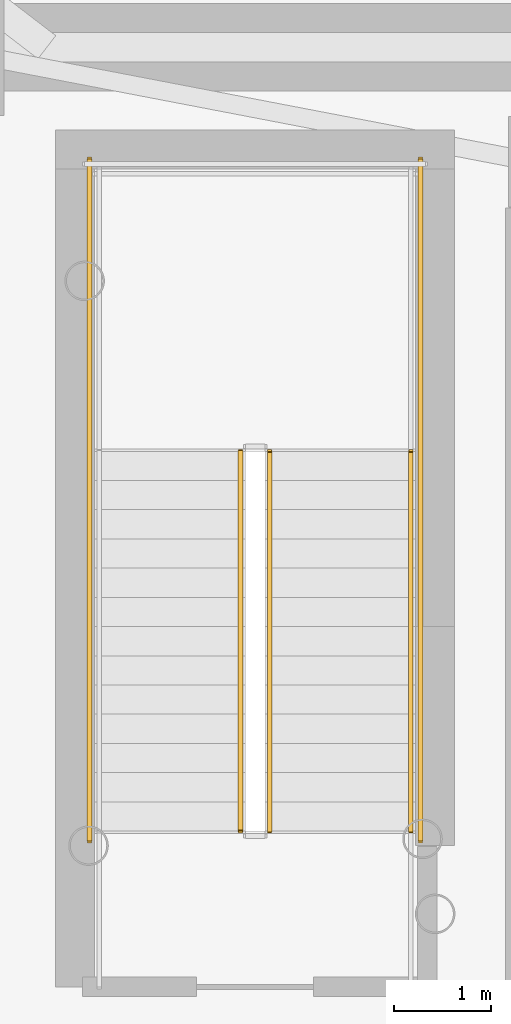
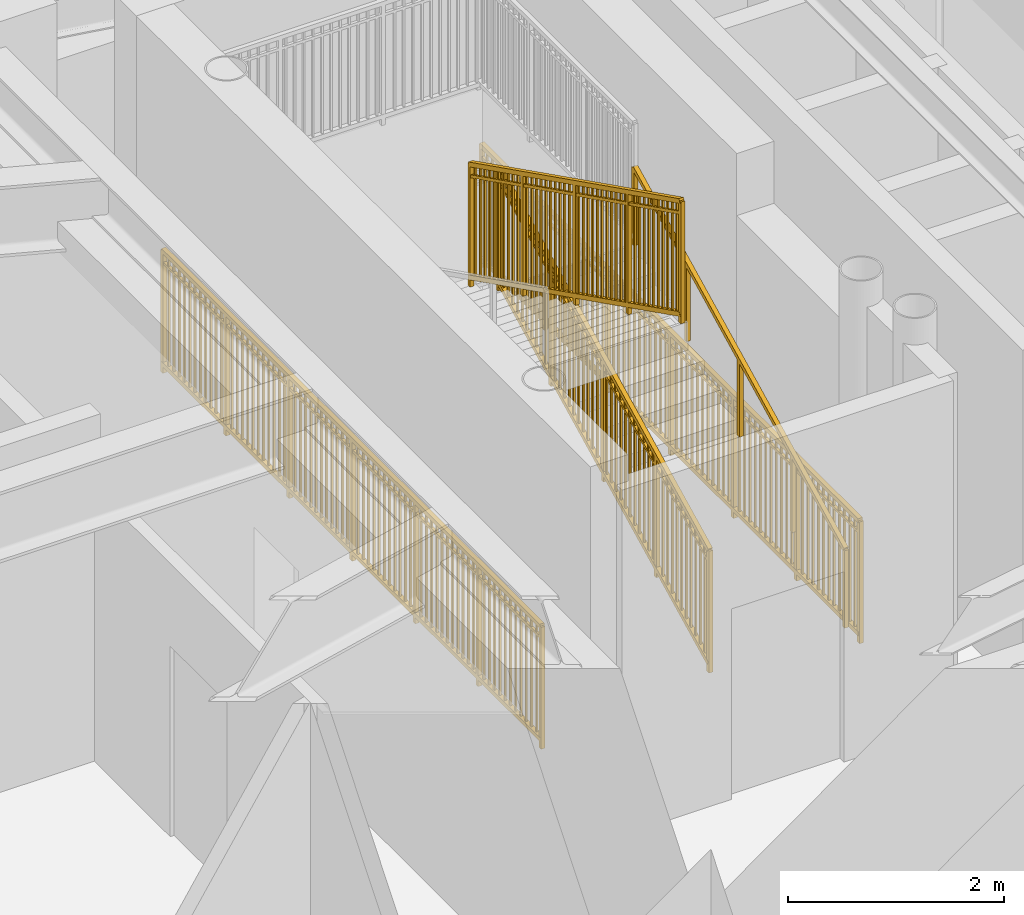
# One storey, part 21 of 27: 5 railings.
"""IFC4 building model written with IfcOpenShell, lengths in metres."""

from ifc_helpers import new_model, si_unit, direction, frame, origin, origin_2d, place, context, subcontext, project, spatial, rectangle, extrude, source, transform, mapped, material, type_object, element, save


model = new_model("IFC4")

# Units and contexts
model_context = context("Model", 3, precision=1e-05, world=origin(), true_north=direction((0.0, 1.0)))
body_context = subcontext(model_context, "Body", "Model", "MODEL_VIEW")
ifc_project = project(units=[si_unit("LENGTHUNIT", "METRE"), si_unit("AREAUNIT", "SQUARE_METRE"), si_unit("VOLUMEUNIT", "CUBIC_METRE"), si_unit("PLANEANGLEUNIT", "RADIAN"), si_unit("MASSUNIT", "GRAM", prefix="KILO")], contexts=[model_context])

# Site, building, storey
site_placement = place(None, origin())
site = spatial("IfcSite", under=ifc_project, at=site_placement, CompositionType="ELEMENT")
building_placement = place(site_placement, origin())
building = spatial("IfcBuilding", under=site, at=building_placement, Name="Linh Dai School and Residence Tower", CompositionType="ELEMENT")
storey_placement = place(building_placement, frame((0.0, 0.0, 14.39990234375)))
storey = spatial("IfcBuildingStorey", under=building, at=storey_placement, Name="L03", CompositionType="ELEMENT", Elevation=14.39990234375)

# Railings
ifc_material_1 = material(Name="Structural Steel S355JR", Category="steel")
railing_type_1 = type_object("IfcRailingType", Name="RL-ST-GUARD-1400", PredefinedType="GUARDRAIL", material=ifc_material_1)
shared_shape_1 = source(origin(), body_context, "Body", "SweptSolid", [
    extrude(rectangle(XDim=0.048095703125, YDim=0.048095703125, at=origin_2d()), frame((0.0, 0.0, 1.3759765625), z_axis=(0.0, 1.0, 0.0), x_axis=(-1.0, 0.0, 0.0)), (0.0, 0.0, 1.0), 7.0),
    extrude(rectangle(XDim=0.048095703125, YDim=0.048095703125, at=origin_2d()), frame((0.0, 0.0, 0.10009765625), z_axis=(0.0, 1.0, 0.0), x_axis=(-1.0, 0.0, 0.0)), (0.0, 0.0, 1.0), 7.0),
    extrude(rectangle(XDim=0.030029296875, YDim=0.030029296875, at=origin_2d()), frame((0.0, 0.0, 1.239990234375), z_axis=(0.0, 1.0, 0.0), x_axis=(-1.0, 0.0, 0.0)), (0.0, 0.0, 1.0), 7.0),
    extrude(rectangle(XDim=0.02001953125, YDim=0.02001953125, at=origin_2d()), frame((0.0, 0.09716796875, 0.10009765625)), (0.0, 0.0, 1.0), 1.251708984375),
    extrude(rectangle(XDim=0.02001953125, YDim=0.02001953125, at=origin_2d()), frame((0.0, 0.1943359375, 0.10009765625)), (0.0, 0.0, 1.0), 1.251708984375),
    extrude(rectangle(XDim=0.02001953125, YDim=0.02001953125, at=origin_2d()), frame((0.0, 0.291748046875, 0.10009765625)), (0.0, 0.0, 1.0), 1.251708984375),
    extrude(rectangle(XDim=0.02001953125, YDim=0.02001953125, at=origin_2d()), frame((0.0, 0.388916015625, 0.10009765625)), (0.0, 0.0, 1.0), 1.251708984375),
    extrude(rectangle(XDim=0.02001953125, YDim=0.02001953125, at=origin_2d()), frame((0.0, 0.486083984375, 0.10009765625)), (0.0, 0.0, 1.0), 1.251708984375),
    extrude(rectangle(XDim=0.02001953125, YDim=0.02001953125, at=origin_2d()), frame((0.0, 0.583251953125, 0.10009765625)), (0.0, 0.0, 1.0), 1.251708984375),
    extrude(rectangle(XDim=0.02001953125, YDim=0.02001953125, at=origin_2d()), frame((0.0, 0.6806640625, 0.10009765625)), (0.0, 0.0, 1.0), 1.251708984375),
    extrude(rectangle(XDim=0.02001953125, YDim=0.02001953125, at=origin_2d()), frame((0.0, 0.77783203125, 0.10009765625)), (0.0, 0.0, 1.0), 1.251708984375),
    extrude(rectangle(XDim=0.02001953125, YDim=0.02001953125, at=origin_2d()), frame((0.0, 0.875, 0.10009765625)), (0.0, 0.0, 1.0), 1.251708984375),
    extrude(rectangle(XDim=0.02001953125, YDim=0.02001953125, at=origin_2d()), frame((0.0, 0.97216796875, 0.10009765625)), (0.0, 0.0, 1.0), 1.251708984375),
    extrude(rectangle(XDim=0.02001953125, YDim=0.02001953125, at=origin_2d()), frame((0.0, 1.0693359375, 0.10009765625)), (0.0, 0.0, 1.0), 1.251708984375),
    extrude(rectangle(XDim=0.02001953125, YDim=0.02001953125, at=origin_2d()), frame((0.0, 1.263916015625, 0.10009765625)), (0.0, 0.0, 1.0), 1.251708984375),
    extrude(rectangle(XDim=0.02001953125, YDim=0.02001953125, at=origin_2d()), frame((0.0, 1.361083984375, 0.10009765625)), (0.0, 0.0, 1.0), 1.251708984375),
    extrude(rectangle(XDim=0.02001953125, YDim=0.02001953125, at=origin_2d()), frame((0.0, 1.458251953125, 0.10009765625)), (0.0, 0.0, 1.0), 1.251708984375),
    extrude(rectangle(XDim=0.02001953125, YDim=0.02001953125, at=origin_2d()), frame((0.0, 1.5556640625, 0.10009765625)), (0.0, 0.0, 1.0), 1.251708984375),
    extrude(rectangle(XDim=0.02001953125, YDim=0.02001953125, at=origin_2d()), frame((0.0, 1.65283203125, 0.10009765625)), (0.0, 0.0, 1.0), 1.251708984375),
    extrude(rectangle(XDim=0.02001953125, YDim=0.02001953125, at=origin_2d()), frame((0.0, 1.75, 0.10009765625)), (0.0, 0.0, 1.0), 1.251708984375),
    extrude(rectangle(XDim=0.02001953125, YDim=0.02001953125, at=origin_2d()), frame((0.0, 1.84716796875, 0.10009765625)), (0.0, 0.0, 1.0), 1.251708984375),
    extrude(rectangle(XDim=0.02001953125, YDim=0.02001953125, at=origin_2d()), frame((0.0, 1.9443359375, 0.10009765625)), (0.0, 0.0, 1.0), 1.251708984375),
    extrude(rectangle(XDim=0.02001953125, YDim=0.02001953125, at=origin_2d()), frame((0.0, 2.041748046875, 0.10009765625)), (0.0, 0.0, 1.0), 1.251708984375),
    extrude(rectangle(XDim=0.02001953125, YDim=0.02001953125, at=origin_2d()), frame((0.0, 2.138916015625, 0.10009765625)), (0.0, 0.0, 1.0), 1.251708984375),
    extrude(rectangle(XDim=0.02001953125, YDim=0.02001953125, at=origin_2d()), frame((0.0, 2.236083984375, 0.10009765625)), (0.0, 0.0, 1.0), 1.251708984375),
    extrude(rectangle(XDim=0.02001953125, YDim=0.02001953125, at=origin_2d()), frame((0.0, 2.4306640625, 0.10009765625)), (0.0, 0.0, 1.0), 1.251708984375),
    extrude(rectangle(XDim=0.02001953125, YDim=0.02001953125, at=origin_2d()), frame((0.0, 2.52783203125, 0.10009765625)), (0.0, 0.0, 1.0), 1.251708984375),
    extrude(rectangle(XDim=0.02001953125, YDim=0.02001953125, at=origin_2d()), frame((0.0, 2.625, 0.10009765625)), (0.0, 0.0, 1.0), 1.251708984375),
    extrude(rectangle(XDim=0.02001953125, YDim=0.02001953125, at=origin_2d()), frame((0.0, 2.72216796875, 0.10009765625)), (0.0, 0.0, 1.0), 1.251708984375),
    extrude(rectangle(XDim=0.02001953125, YDim=0.02001953125, at=origin_2d()), frame((0.0, 2.8193359375, 0.10009765625)), (0.0, 0.0, 1.0), 1.251708984375),
    extrude(rectangle(XDim=0.02001953125, YDim=0.02001953125, at=origin_2d()), frame((0.0, 2.916748046875, 0.10009765625)), (0.0, 0.0, 1.0), 1.251708984375),
    extrude(rectangle(XDim=0.02001953125, YDim=0.02001953125, at=origin_2d()), frame((0.0, 3.013916015625, 0.10009765625)), (0.0, 0.0, 1.0), 1.251708984375),
    extrude(rectangle(XDim=0.02001953125, YDim=0.02001953125, at=origin_2d()), frame((0.0, 3.111083984375, 0.10009765625)), (0.0, 0.0, 1.0), 1.251708984375),
    extrude(rectangle(XDim=0.02001953125, YDim=0.02001953125, at=origin_2d()), frame((0.0, 3.208251953125, 0.10009765625)), (0.0, 0.0, 1.0), 1.251708984375),
    extrude(rectangle(XDim=0.02001953125, YDim=0.02001953125, at=origin_2d()), frame((0.0, 3.3056640625, 0.10009765625)), (0.0, 0.0, 1.0), 1.251708984375),
    extrude(rectangle(XDim=0.02001953125, YDim=0.02001953125, at=origin_2d()), frame((0.0, 3.40283203125, 0.10009765625)), (0.0, 0.0, 1.0), 1.251708984375),
    extrude(rectangle(XDim=0.02001953125, YDim=0.02001953125, at=origin_2d()), frame((0.0, 3.59716796875, 0.10009765625)), (0.0, 0.0, 1.0), 1.251708984375),
    extrude(rectangle(XDim=0.02001953125, YDim=0.02001953125, at=origin_2d()), frame((0.0, 3.6943359375, 0.10009765625)), (0.0, 0.0, 1.0), 1.251708984375),
    extrude(rectangle(XDim=0.02001953125, YDim=0.02001953125, at=origin_2d()), frame((0.0, 3.791748046875, 0.10009765625)), (0.0, 0.0, 1.0), 1.251708984375),
    extrude(rectangle(XDim=0.02001953125, YDim=0.02001953125, at=origin_2d()), frame((0.0, 3.888916015625, 0.10009765625)), (0.0, 0.0, 1.0), 1.251708984375),
    extrude(rectangle(XDim=0.02001953125, YDim=0.02001953125, at=origin_2d()), frame((0.0, 3.986083984375, 0.10009765625)), (0.0, 0.0, 1.0), 1.251708984375),
    extrude(rectangle(XDim=0.02001953125, YDim=0.02001953125, at=origin_2d()), frame((0.0, 4.083251953125, 0.10009765625)), (0.0, 0.0, 1.0), 1.251708984375),
    extrude(rectangle(XDim=0.02001953125, YDim=0.02001953125, at=origin_2d()), frame((0.0, 4.1806640625, 0.10009765625)), (0.0, 0.0, 1.0), 1.251708984375),
    extrude(rectangle(XDim=0.02001953125, YDim=0.02001953125, at=origin_2d()), frame((0.0, 4.27783203125, 0.10009765625)), (0.0, 0.0, 1.0), 1.251708984375),
    extrude(rectangle(XDim=0.02001953125, YDim=0.02001953125, at=origin_2d()), frame((0.0, 4.375, 0.10009765625)), (0.0, 0.0, 1.0), 1.251708984375),
    extrude(rectangle(XDim=0.02001953125, YDim=0.02001953125, at=origin_2d()), frame((0.0, 4.47216796875, 0.10009765625)), (0.0, 0.0, 1.0), 1.251708984375),
    extrude(rectangle(XDim=0.02001953125, YDim=0.02001953125, at=origin_2d()), frame((0.0, 4.5693359375, 0.10009765625)), (0.0, 0.0, 1.0), 1.251708984375),
    extrude(rectangle(XDim=0.02001953125, YDim=0.02001953125, at=origin_2d()), frame((0.0, 4.763916015625, 0.10009765625)), (0.0, 0.0, 1.0), 1.251708984375),
    extrude(rectangle(XDim=0.02001953125, YDim=0.02001953125, at=origin_2d()), frame((0.0, 4.861083984375, 0.10009765625)), (0.0, 0.0, 1.0), 1.251708984375),
    extrude(rectangle(XDim=0.02001953125, YDim=0.02001953125, at=origin_2d()), frame((0.0, 4.958251953125, 0.10009765625)), (0.0, 0.0, 1.0), 1.251708984375),
    extrude(rectangle(XDim=0.02001953125, YDim=0.02001953125, at=origin_2d()), frame((0.0, 5.0556640625, 0.10009765625)), (0.0, 0.0, 1.0), 1.251708984375),
    extrude(rectangle(XDim=0.02001953125, YDim=0.02001953125, at=origin_2d()), frame((0.0, 5.15283203125, 0.10009765625)), (0.0, 0.0, 1.0), 1.251708984375),
    extrude(rectangle(XDim=0.02001953125, YDim=0.02001953125, at=origin_2d()), frame((0.0, 5.25, 0.10009765625)), (0.0, 0.0, 1.0), 1.251708984375),
    extrude(rectangle(XDim=0.02001953125, YDim=0.02001953125, at=origin_2d()), frame((0.0, 5.34716796875, 0.10009765625)), (0.0, 0.0, 1.0), 1.251708984375),
    extrude(rectangle(XDim=0.02001953125, YDim=0.02001953125, at=origin_2d()), frame((0.0, 5.4443359375, 0.10009765625)), (0.0, 0.0, 1.0), 1.251708984375),
    extrude(rectangle(XDim=0.02001953125, YDim=0.02001953125, at=origin_2d()), frame((0.0, 5.541748046875, 0.10009765625)), (0.0, 0.0, 1.0), 1.251708984375),
    extrude(rectangle(XDim=0.02001953125, YDim=0.02001953125, at=origin_2d()), frame((0.0, 5.638916015625, 0.10009765625)), (0.0, 0.0, 1.0), 1.251708984375),
    extrude(rectangle(XDim=0.02001953125, YDim=0.02001953125, at=origin_2d()), frame((0.0, 5.736083984375, 0.10009765625)), (0.0, 0.0, 1.0), 1.251708984375),
    extrude(rectangle(XDim=0.02001953125, YDim=0.02001953125, at=origin_2d()), frame((0.0, 5.9306640625, 0.10009765625)), (0.0, 0.0, 1.0), 1.251708984375),
    extrude(rectangle(XDim=0.02001953125, YDim=0.02001953125, at=origin_2d()), frame((0.0, 6.02783203125, 0.10009765625)), (0.0, 0.0, 1.0), 1.251708984375),
    extrude(rectangle(XDim=0.02001953125, YDim=0.02001953125, at=origin_2d()), frame((0.0, 6.125, 0.10009765625)), (0.0, 0.0, 1.0), 1.251708984375),
    extrude(rectangle(XDim=0.02001953125, YDim=0.02001953125, at=origin_2d()), frame((0.0, 6.22216796875, 0.10009765625)), (0.0, 0.0, 1.0), 1.251708984375),
    extrude(rectangle(XDim=0.02001953125, YDim=0.02001953125, at=origin_2d()), frame((0.0, 6.3193359375, 0.10009765625)), (0.0, 0.0, 1.0), 1.251708984375),
    extrude(rectangle(XDim=0.02001953125, YDim=0.02001953125, at=origin_2d()), frame((0.0, 6.416748046875, 0.10009765625)), (0.0, 0.0, 1.0), 1.251708984375),
    extrude(rectangle(XDim=0.02001953125, YDim=0.02001953125, at=origin_2d()), frame((0.0, 6.513916015625, 0.10009765625)), (0.0, 0.0, 1.0), 1.251708984375),
    extrude(rectangle(XDim=0.02001953125, YDim=0.02001953125, at=origin_2d()), frame((0.0, 6.611083984375, 0.10009765625)), (0.0, 0.0, 1.0), 1.251708984375),
    extrude(rectangle(XDim=0.02001953125, YDim=0.02001953125, at=origin_2d()), frame((0.0, 6.708251953125, 0.10009765625)), (0.0, 0.0, 1.0), 1.251708984375),
    extrude(rectangle(XDim=0.02001953125, YDim=0.02001953125, at=origin_2d()), frame((0.0, 6.8056640625, 0.10009765625)), (0.0, 0.0, 1.0), 1.251708984375),
    extrude(rectangle(XDim=0.02001953125, YDim=0.02001953125, at=origin_2d()), frame((0.0, 6.90283203125, 0.10009765625)), (0.0, 0.0, 1.0), 1.251708984375),
    extrude(rectangle(XDim=0.0419921875, YDim=0.0419921875, at=origin_2d()), origin(), (0.0, 0.0, 1.0), 1.3759765625),
    extrude(rectangle(XDim=0.0419921875, YDim=0.0419921875, at=origin_2d()), frame((0.0, 1.166748046875, 0.0)), (0.0, 0.0, 1.0), 1.3759765625),
    extrude(rectangle(XDim=0.0419921875, YDim=0.0419921875, at=origin_2d()), frame((0.0, 2.333251953125, 0.0)), (0.0, 0.0, 1.0), 1.3759765625),
    extrude(rectangle(XDim=0.0419921875, YDim=0.0419921875, at=origin_2d()), frame((0.0, 3.5, 0.0)), (0.0, 0.0, 1.0), 1.3759765625),
    extrude(rectangle(XDim=0.0419921875, YDim=0.0419921875, at=origin_2d()), frame((0.0, 4.666748046875, 0.0)), (0.0, 0.0, 1.0), 1.3759765625),
    extrude(rectangle(XDim=0.0419921875, YDim=0.0419921875, at=origin_2d()), frame((0.0, 5.833251953125, 0.0)), (0.0, 0.0, 1.0), 1.3759765625),
    extrude(rectangle(XDim=0.0419921875, YDim=0.0419921875, at=origin_2d()), frame((0.0, 7.0, 0.0)), (0.0, 0.0, 1.0), 1.3759765625),
])
for number, where, name in (
    (1, (31.030029296875, 25.60009765625, 0.0), "L03 ST1 stair guard 10"),
    (2, (27.6298828125, 25.60009765625, 0.0), "L03 ST1 stair guard 11"),
):
    element("IfcRailing", number, at=place(storey_placement, frame(where)), inside=storey, type_object=railing_type_1, Name=name, PredefinedType="GUARDRAIL", context=body_context, shape_type="MappedRepresentation", body=[
        mapped(shared_shape_1, transform((0.0, 0.0, 0.0), x_axis=(1.0, 0.0, 0.0), y_axis=(0.0, 1.0, 0.0), z_axis=(0.0, 0.0, 1.0), scale=1.0)),
    ])
shared_shape_2 = source(origin(), body_context, "Body", "SweptSolid", [
    extrude(rectangle(XDim=0.048095703125, YDim=0.048095703125, at=origin_2d()), frame((0.0, 0.0, 1.3759765625), z_axis=(0.0, 0.894438388696, 0.447191199406), x_axis=(-1.0, 0.0, 0.0)), (0.0, 0.0, 1.0), 4.3603515625),
    extrude(rectangle(XDim=0.048095703125, YDim=0.048095703125, at=origin_2d()), frame((0.0, 0.0, 0.10009765625), z_axis=(0.0, 0.894438388696, 0.447191199406), x_axis=(-1.0, 0.0, 0.0)), (0.0, 0.0, 1.0), 4.3603515625),
    extrude(rectangle(XDim=0.030029296875, YDim=0.030029296875, at=origin_2d()), frame((0.0, 0.0, 1.239990234375), z_axis=(0.0, 0.894438388696, 0.447191199406), x_axis=(-1.0, 0.0, 0.0)), (0.0, 0.0, 1.0), 4.3603515625),
    extrude(rectangle(XDim=0.02001953125, YDim=0.02001953125, at=origin_2d()), frame((0.0, 0.086669921875, 0.143310546875)), (0.0, 0.0, 1.0), 1.251708984375),
    extrude(rectangle(XDim=0.02001953125, YDim=0.02001953125, at=origin_2d()), frame((0.0, 0.17333984375, 0.186767578125)), (0.0, 0.0, 1.0), 1.251708984375),
    extrude(rectangle(XDim=0.02001953125, YDim=0.02001953125, at=origin_2d()), frame((0.0, 0.260009765625, 0.22998046875)), (0.0, 0.0, 1.0), 1.251708984375),
    extrude(rectangle(XDim=0.02001953125, YDim=0.02001953125, at=origin_2d()), frame((0.0, 0.3466796875, 0.2734375)), (0.0, 0.0, 1.0), 1.251708984375),
    extrude(rectangle(XDim=0.02001953125, YDim=0.02001953125, at=origin_2d()), frame((0.0, 0.433349609375, 0.316650390625)), (0.0, 0.0, 1.0), 1.251708984375),
    extrude(rectangle(XDim=0.02001953125, YDim=0.02001953125, at=origin_2d()), frame((0.0, 0.52001953125, 0.360107421875)), (0.0, 0.0, 1.0), 1.251708984375),
    extrude(rectangle(XDim=0.02001953125, YDim=0.02001953125, at=origin_2d()), frame((0.0, 0.606689453125, 0.4033203125)), (0.0, 0.0, 1.0), 1.251708984375),
    extrude(rectangle(XDim=0.02001953125, YDim=0.02001953125, at=origin_2d()), frame((0.0, 0.693359375, 0.44677734375)), (0.0, 0.0, 1.0), 1.251708984375),
    extrude(rectangle(XDim=0.02001953125, YDim=0.02001953125, at=origin_2d()), frame((0.0, 0.780029296875, 0.489990234375)), (0.0, 0.0, 1.0), 1.251708984375),
    extrude(rectangle(XDim=0.02001953125, YDim=0.02001953125, at=origin_2d()), frame((0.0, 0.86669921875, 0.533447265625)), (0.0, 0.0, 1.0), 1.251708984375),
    extrude(rectangle(XDim=0.02001953125, YDim=0.02001953125, at=origin_2d()), frame((0.0, 1.0400390625, 0.6201171875)), (0.0, 0.0, 1.0), 1.251708984375),
    extrude(rectangle(XDim=0.02001953125, YDim=0.02001953125, at=origin_2d()), frame((0.0, 1.126708984375, 0.663330078125)), (0.0, 0.0, 1.0), 1.251708984375),
    extrude(rectangle(XDim=0.02001953125, YDim=0.02001953125, at=origin_2d()), frame((0.0, 1.21337890625, 0.706787109375)), (0.0, 0.0, 1.0), 1.251708984375),
    extrude(rectangle(XDim=0.02001953125, YDim=0.02001953125, at=origin_2d()), frame((0.0, 1.300048828125, 0.75)), (0.0, 0.0, 1.0), 1.251708984375),
    extrude(rectangle(XDim=0.02001953125, YDim=0.02001953125, at=origin_2d()), frame((0.0, 1.38671875, 0.79345703125)), (0.0, 0.0, 1.0), 1.251708984375),
    extrude(rectangle(XDim=0.02001953125, YDim=0.02001953125, at=origin_2d()), frame((0.0, 1.473388671875, 0.836669921875)), (0.0, 0.0, 1.0), 1.251708984375),
    extrude(rectangle(XDim=0.02001953125, YDim=0.02001953125, at=origin_2d()), frame((0.0, 1.56005859375, 0.880126953125)), (0.0, 0.0, 1.0), 1.251708984375),
    extrude(rectangle(XDim=0.02001953125, YDim=0.02001953125, at=origin_2d()), frame((0.0, 1.646728515625, 0.92333984375)), (0.0, 0.0, 1.0), 1.251708984375),
    extrude(rectangle(XDim=0.02001953125, YDim=0.02001953125, at=origin_2d()), frame((0.0, 1.7333984375, 0.966796875)), (0.0, 0.0, 1.0), 1.251708984375),
    extrude(rectangle(XDim=0.02001953125, YDim=0.02001953125, at=origin_2d()), frame((0.0, 1.820068359375, 1.010009765625)), (0.0, 0.0, 1.0), 1.251708984375),
    extrude(rectangle(XDim=0.02001953125, YDim=0.02001953125, at=origin_2d()), frame((0.0, 1.90673828125, 1.053466796875)), (0.0, 0.0, 1.0), 1.251708984375),
    extrude(rectangle(XDim=0.02001953125, YDim=0.02001953125, at=origin_2d()), frame((0.0, 1.993408203125, 1.0966796875)), (0.0, 0.0, 1.0), 1.251708984375),
    extrude(rectangle(XDim=0.02001953125, YDim=0.02001953125, at=origin_2d()), frame((0.0, 2.080078125, 1.14013671875)), (0.0, 0.0, 1.0), 1.251708984375),
    extrude(rectangle(XDim=0.02001953125, YDim=0.02001953125, at=origin_2d()), frame((0.0, 2.166748046875, 1.183349609375)), (0.0, 0.0, 1.0), 1.251708984375),
    extrude(rectangle(XDim=0.02001953125, YDim=0.02001953125, at=origin_2d()), frame((0.0, 2.25341796875, 1.226806640625)), (0.0, 0.0, 1.0), 1.251708984375),
    extrude(rectangle(XDim=0.02001953125, YDim=0.02001953125, at=origin_2d()), frame((0.0, 2.340087890625, 1.27001953125)), (0.0, 0.0, 1.0), 1.251708984375),
    extrude(rectangle(XDim=0.02001953125, YDim=0.02001953125, at=origin_2d()), frame((0.0, 2.4267578125, 1.3134765625)), (0.0, 0.0, 1.0), 1.251708984375),
    extrude(rectangle(XDim=0.02001953125, YDim=0.02001953125, at=origin_2d()), frame((0.0, 2.513427734375, 1.356689453125)), (0.0, 0.0, 1.0), 1.251708984375),
    extrude(rectangle(XDim=0.02001953125, YDim=0.02001953125, at=origin_2d()), frame((0.0, 2.60009765625, 1.400146484375)), (0.0, 0.0, 1.0), 1.251708984375),
    extrude(rectangle(XDim=0.02001953125, YDim=0.02001953125, at=origin_2d()), frame((0.0, 2.686767578125, 1.443359375)), (0.0, 0.0, 1.0), 1.251708984375),
    extrude(rectangle(XDim=0.02001953125, YDim=0.02001953125, at=origin_2d()), frame((0.0, 2.7734375, 1.48681640625)), (0.0, 0.0, 1.0), 1.251708984375),
    extrude(rectangle(XDim=0.02001953125, YDim=0.02001953125, at=origin_2d()), frame((0.0, 2.860107421875, 1.530029296875)), (0.0, 0.0, 1.0), 1.251708984375),
    extrude(rectangle(XDim=0.02001953125, YDim=0.02001953125, at=origin_2d()), frame((0.0, 3.033447265625, 1.61669921875)), (0.0, 0.0, 1.0), 1.251708984375),
    extrude(rectangle(XDim=0.02001953125, YDim=0.02001953125, at=origin_2d()), frame((0.0, 3.1201171875, 1.66015625)), (0.0, 0.0, 1.0), 1.251708984375),
    extrude(rectangle(XDim=0.02001953125, YDim=0.02001953125, at=origin_2d()), frame((0.0, 3.206787109375, 1.703369140625)), (0.0, 0.0, 1.0), 1.251708984375),
    extrude(rectangle(XDim=0.02001953125, YDim=0.02001953125, at=origin_2d()), frame((0.0, 3.29345703125, 1.746826171875)), (0.0, 0.0, 1.0), 1.251708984375),
    extrude(rectangle(XDim=0.02001953125, YDim=0.02001953125, at=origin_2d()), frame((0.0, 3.380126953125, 1.7900390625)), (0.0, 0.0, 1.0), 1.251708984375),
    extrude(rectangle(XDim=0.02001953125, YDim=0.02001953125, at=origin_2d()), frame((0.0, 3.466796875, 1.83349609375)), (0.0, 0.0, 1.0), 1.251708984375),
    extrude(rectangle(XDim=0.02001953125, YDim=0.02001953125, at=origin_2d()), frame((0.0, 3.553466796875, 1.876708984375)), (0.0, 0.0, 1.0), 1.251708984375),
    extrude(rectangle(XDim=0.02001953125, YDim=0.02001953125, at=origin_2d()), frame((0.0, 3.64013671875, 1.920166015625)), (0.0, 0.0, 1.0), 1.251708984375),
    extrude(rectangle(XDim=0.02001953125, YDim=0.02001953125, at=origin_2d()), frame((0.0, 3.726806640625, 1.96337890625)), (0.0, 0.0, 1.0), 1.251708984375),
    extrude(rectangle(XDim=0.02001953125, YDim=0.02001953125, at=origin_2d()), frame((0.0, 3.8134765625, 2.0068359375)), (0.0, 0.0, 1.0), 1.251708984375),
    extrude(rectangle(XDim=0.0419921875, YDim=0.0419921875, at=origin_2d()), origin(), (0.0, 0.0, 1.0), 1.3759765625),
    extrude(rectangle(XDim=0.0419921875, YDim=0.0419921875, at=origin_2d()), frame((0.0, 0.97509765625, 0.487548828125)), (0.0, 0.0, 1.0), 1.3759765625),
    extrude(rectangle(XDim=0.0419921875, YDim=0.0419921875, at=origin_2d()), frame((0.0, 1.9501953125, 0.97509765625)), (0.0, 0.0, 1.0), 1.3759765625),
    extrude(rectangle(XDim=0.0419921875, YDim=0.0419921875, at=origin_2d()), frame((0.0, 2.925048828125, 1.46240234375)), (0.0, 0.0, 1.0), 1.3759765625),
    extrude(rectangle(XDim=0.0419921875, YDim=0.0419921875, at=origin_2d()), frame((0.0, 3.900146484375, 1.949951171875)), (0.0, 0.0, 1.0), 1.3759765625),
])
railing_1_placement = place(storey_placement, frame((29.47998046875, 25.699951171875, 0.150146484375)))
element("IfcRailing", 3, at=railing_1_placement, inside=storey, type_object=railing_type_1, Name="L03 ST1 stair guard 1", PredefinedType="GUARDRAIL", context=body_context, shape_type="MappedRepresentation", body=[
    mapped(shared_shape_2, transform((0.0, 0.0, 0.0), x_axis=(1.0, 0.0, 0.0), y_axis=(0.0, 1.0, 0.0), z_axis=(0.0, 0.0, 1.0), scale=1.0)),
])
ifc_material_2 = material(Name="Brushed Stainless Steel Handrail", Category="steel")
railing_type_2 = type_object("IfcRailingType", Name="RL-ST-HANDRAIL-900", PredefinedType="HANDRAIL", material=ifc_material_2)
shared_shape_3 = source(origin(), body_context, "Body", "SweptSolid", [
    extrude(rectangle(XDim=0.048095703125, YDim=0.048095703125, at=origin_2d()), frame((0.0, 0.0, 0.8759765625), z_axis=(0.0, 0.894438388696, 0.447191199406), x_axis=(-1.0, 0.0, 0.0)), (0.0, 0.0, 1.0), 4.3603515625),
    extrude(rectangle(XDim=0.0419921875, YDim=0.0419921875, at=origin_2d()), origin(), (0.0, 0.0, 1.0), 0.8759765625),
    extrude(rectangle(XDim=0.0419921875, YDim=0.0419921875, at=origin_2d()), frame((0.0, 0.97509765625, 0.487548828125)), (0.0, 0.0, 1.0), 0.8759765625),
    extrude(rectangle(XDim=0.0419921875, YDim=0.0419921875, at=origin_2d()), frame((0.0, 1.9501953125, 0.97509765625)), (0.0, 0.0, 1.0), 0.8759765625),
    extrude(rectangle(XDim=0.0419921875, YDim=0.0419921875, at=origin_2d()), frame((0.0, 2.925048828125, 1.46240234375)), (0.0, 0.0, 1.0), 0.8759765625),
    extrude(rectangle(XDim=0.0419921875, YDim=0.0419921875, at=origin_2d()), frame((0.0, 3.900146484375, 1.949951171875)), (0.0, 0.0, 1.0), 0.8759765625),
])
railing_2_placement = place(storey_placement, frame((30.929931640625, 25.699951171875, 0.150146484375)))
element("IfcRailing", 4, at=railing_2_placement, inside=storey, type_object=railing_type_2, Name="L03 ST1 stair handrail 1", PredefinedType="HANDRAIL", context=body_context, shape_type="MappedRepresentation", body=[
    mapped(shared_shape_3, transform((0.0, 0.0, 0.0), x_axis=(1.0, 0.0, 0.0), y_axis=(0.0, 1.0, 0.0), z_axis=(0.0, 0.0, 1.0), scale=1.0)),
])
shared_shape_4 = source(origin(), body_context, "Body", "SweptSolid", [
    extrude(rectangle(XDim=0.048095703125, YDim=0.048095703125, at=origin_2d()), frame((0.0, 0.0, 1.3759765625), z_axis=(0.0, -0.894415993023, 0.447235990752), x_axis=(1.0, 0.0, 0.0)), (0.0, 0.0, 1.0), 4.360595703125),
    extrude(rectangle(XDim=0.048095703125, YDim=0.048095703125, at=origin_2d()), frame((0.0, 0.0, 0.10009765625), z_axis=(0.0, -0.894415993023, 0.447235990752), x_axis=(1.0, 0.0, 0.0)), (0.0, 0.0, 1.0), 4.360595703125),
    extrude(rectangle(XDim=0.030029296875, YDim=0.030029296875, at=origin_2d()), frame((0.0, 0.0, 1.239990234375), z_axis=(0.0, -0.894415993023, 0.447235990752), x_axis=(1.0, 0.0, 0.0)), (0.0, 0.0, 1.0), 4.360595703125),
    extrude(rectangle(XDim=0.02001953125, YDim=0.02001953125, at=origin_2d()), frame((0.0, -0.086669921875, 0.1435546875)), (0.0, 0.0, 1.0), 1.251708984375),
    extrude(rectangle(XDim=0.02001953125, YDim=0.02001953125, at=origin_2d()), frame((0.0, -0.17333984375, 0.186767578125)), (0.0, 0.0, 1.0), 1.251708984375),
    extrude(rectangle(XDim=0.02001953125, YDim=0.02001953125, at=origin_2d()), frame((0.0, -0.260009765625, 0.230224609375)), (0.0, 0.0, 1.0), 1.251708984375),
    extrude(rectangle(XDim=0.02001953125, YDim=0.02001953125, at=origin_2d()), frame((0.0, -0.3466796875, 0.2734375)), (0.0, 0.0, 1.0), 1.251708984375),
    extrude(rectangle(XDim=0.02001953125, YDim=0.02001953125, at=origin_2d()), frame((0.0, -0.433349609375, 0.31689453125)), (0.0, 0.0, 1.0), 1.251708984375),
    extrude(rectangle(XDim=0.02001953125, YDim=0.02001953125, at=origin_2d()), frame((0.0, -0.52001953125, 0.360107421875)), (0.0, 0.0, 1.0), 1.251708984375),
    extrude(rectangle(XDim=0.02001953125, YDim=0.02001953125, at=origin_2d()), frame((0.0, -0.606689453125, 0.403564453125)), (0.0, 0.0, 1.0), 1.251708984375),
    extrude(rectangle(XDim=0.02001953125, YDim=0.02001953125, at=origin_2d()), frame((0.0, -0.693359375, 0.44677734375)), (0.0, 0.0, 1.0), 1.251708984375),
    extrude(rectangle(XDim=0.02001953125, YDim=0.02001953125, at=origin_2d()), frame((0.0, -0.780029296875, 0.490234375)), (0.0, 0.0, 1.0), 1.251708984375),
    extrude(rectangle(XDim=0.02001953125, YDim=0.02001953125, at=origin_2d()), frame((0.0, -0.86669921875, 0.533447265625)), (0.0, 0.0, 1.0), 1.251708984375),
    extrude(rectangle(XDim=0.02001953125, YDim=0.02001953125, at=origin_2d()), frame((0.0, -1.0400390625, 0.6201171875)), (0.0, 0.0, 1.0), 1.251708984375),
    extrude(rectangle(XDim=0.02001953125, YDim=0.02001953125, at=origin_2d()), frame((0.0, -1.126708984375, 0.66357421875)), (0.0, 0.0, 1.0), 1.251708984375),
    extrude(rectangle(XDim=0.02001953125, YDim=0.02001953125, at=origin_2d()), frame((0.0, -1.21337890625, 0.706787109375)), (0.0, 0.0, 1.0), 1.251708984375),
    extrude(rectangle(XDim=0.02001953125, YDim=0.02001953125, at=origin_2d()), frame((0.0, -1.300048828125, 0.750244140625)), (0.0, 0.0, 1.0), 1.251708984375),
    extrude(rectangle(XDim=0.02001953125, YDim=0.02001953125, at=origin_2d()), frame((0.0, -1.38671875, 0.79345703125)), (0.0, 0.0, 1.0), 1.251708984375),
    extrude(rectangle(XDim=0.02001953125, YDim=0.02001953125, at=origin_2d()), frame((0.0, -1.473388671875, 0.8369140625)), (0.0, 0.0, 1.0), 1.251708984375),
    extrude(rectangle(XDim=0.02001953125, YDim=0.02001953125, at=origin_2d()), frame((0.0, -1.56005859375, 0.880126953125)), (0.0, 0.0, 1.0), 1.251708984375),
    extrude(rectangle(XDim=0.02001953125, YDim=0.02001953125, at=origin_2d()), frame((0.0, -1.646728515625, 0.923583984375)), (0.0, 0.0, 1.0), 1.251708984375),
    extrude(rectangle(XDim=0.02001953125, YDim=0.02001953125, at=origin_2d()), frame((0.0, -1.7333984375, 0.966796875)), (0.0, 0.0, 1.0), 1.251708984375),
    extrude(rectangle(XDim=0.02001953125, YDim=0.02001953125, at=origin_2d()), frame((0.0, -1.820068359375, 1.01025390625)), (0.0, 0.0, 1.0), 1.251708984375),
    extrude(rectangle(XDim=0.02001953125, YDim=0.02001953125, at=origin_2d()), frame((0.0, -1.90673828125, 1.053466796875)), (0.0, 0.0, 1.0), 1.251708984375),
    extrude(rectangle(XDim=0.02001953125, YDim=0.02001953125, at=origin_2d()), frame((0.0, -1.993408203125, 1.096923828125)), (0.0, 0.0, 1.0), 1.251708984375),
    extrude(rectangle(XDim=0.02001953125, YDim=0.02001953125, at=origin_2d()), frame((0.0, -2.080078125, 1.14013671875)), (0.0, 0.0, 1.0), 1.251708984375),
    extrude(rectangle(XDim=0.02001953125, YDim=0.02001953125, at=origin_2d()), frame((0.0, -2.166748046875, 1.18359375)), (0.0, 0.0, 1.0), 1.251708984375),
    extrude(rectangle(XDim=0.02001953125, YDim=0.02001953125, at=origin_2d()), frame((0.0, -2.25341796875, 1.226806640625)), (0.0, 0.0, 1.0), 1.251708984375),
    extrude(rectangle(XDim=0.02001953125, YDim=0.02001953125, at=origin_2d()), frame((0.0, -2.340087890625, 1.270263671875)), (0.0, 0.0, 1.0), 1.251708984375),
    extrude(rectangle(XDim=0.02001953125, YDim=0.02001953125, at=origin_2d()), frame((0.0, -2.4267578125, 1.3134765625)), (0.0, 0.0, 1.0), 1.251708984375),
    extrude(rectangle(XDim=0.02001953125, YDim=0.02001953125, at=origin_2d()), frame((0.0, -2.513427734375, 1.35693359375)), (0.0, 0.0, 1.0), 1.251708984375),
    extrude(rectangle(XDim=0.02001953125, YDim=0.02001953125, at=origin_2d()), frame((0.0, -2.60009765625, 1.400146484375)), (0.0, 0.0, 1.0), 1.251708984375),
    extrude(rectangle(XDim=0.02001953125, YDim=0.02001953125, at=origin_2d()), frame((0.0, -2.686767578125, 1.443603515625)), (0.0, 0.0, 1.0), 1.251708984375),
    extrude(rectangle(XDim=0.02001953125, YDim=0.02001953125, at=origin_2d()), frame((0.0, -2.7734375, 1.48681640625)), (0.0, 0.0, 1.0), 1.251708984375),
    extrude(rectangle(XDim=0.02001953125, YDim=0.02001953125, at=origin_2d()), frame((0.0, -2.860107421875, 1.5302734375)), (0.0, 0.0, 1.0), 1.251708984375),
    extrude(rectangle(XDim=0.02001953125, YDim=0.02001953125, at=origin_2d()), frame((0.0, -3.033447265625, 1.616943359375)), (0.0, 0.0, 1.0), 1.251708984375),
    extrude(rectangle(XDim=0.02001953125, YDim=0.02001953125, at=origin_2d()), frame((0.0, -3.1201171875, 1.66015625)), (0.0, 0.0, 1.0), 1.251708984375),
    extrude(rectangle(XDim=0.02001953125, YDim=0.02001953125, at=origin_2d()), frame((0.0, -3.206787109375, 1.70361328125)), (0.0, 0.0, 1.0), 1.251708984375),
    extrude(rectangle(XDim=0.02001953125, YDim=0.02001953125, at=origin_2d()), frame((0.0, -3.29345703125, 1.746826171875)), (0.0, 0.0, 1.0), 1.251708984375),
    extrude(rectangle(XDim=0.02001953125, YDim=0.02001953125, at=origin_2d()), frame((0.0, -3.380126953125, 1.790283203125)), (0.0, 0.0, 1.0), 1.251708984375),
    extrude(rectangle(XDim=0.02001953125, YDim=0.02001953125, at=origin_2d()), frame((0.0, -3.466796875, 1.83349609375)), (0.0, 0.0, 1.0), 1.251708984375),
    extrude(rectangle(XDim=0.02001953125, YDim=0.02001953125, at=origin_2d()), frame((0.0, -3.553466796875, 1.876953125)), (0.0, 0.0, 1.0), 1.251708984375),
    extrude(rectangle(XDim=0.02001953125, YDim=0.02001953125, at=origin_2d()), frame((0.0, -3.64013671875, 1.920166015625)), (0.0, 0.0, 1.0), 1.251708984375),
    extrude(rectangle(XDim=0.02001953125, YDim=0.02001953125, at=origin_2d()), frame((0.0, -3.726806640625, 1.963623046875)), (0.0, 0.0, 1.0), 1.251708984375),
    extrude(rectangle(XDim=0.02001953125, YDim=0.02001953125, at=origin_2d()), frame((0.0, -3.8134765625, 2.0068359375)), (0.0, 0.0, 1.0), 1.251708984375),
    extrude(rectangle(XDim=0.0419921875, YDim=0.0419921875, at=origin_2d()), origin(), (0.0, 0.0, 1.0), 1.3759765625),
    extrude(rectangle(XDim=0.0419921875, YDim=0.0419921875, at=origin_2d()), frame((0.0, -0.97509765625, 0.487548828125)), (0.0, 0.0, 1.0), 1.3759765625),
    extrude(rectangle(XDim=0.0419921875, YDim=0.0419921875, at=origin_2d()), frame((0.0, -1.9501953125, 0.97509765625)), (0.0, 0.0, 1.0), 1.3759765625),
    extrude(rectangle(XDim=0.0419921875, YDim=0.0419921875, at=origin_2d()), frame((0.0, -2.925048828125, 1.462646484375)), (0.0, 0.0, 1.0), 1.3759765625),
    extrude(rectangle(XDim=0.0419921875, YDim=0.0419921875, at=origin_2d()), frame((0.0, -3.900146484375, 1.9501953125)), (0.0, 0.0, 1.0), 1.3759765625),
])
railing_3_placement = place(storey_placement, frame((29.179931640625, 29.60009765625, 2.25)))
element("IfcRailing", 5, at=railing_3_placement, inside=storey, type_object=railing_type_1, Name="L03 ST1 stair guard 6", PredefinedType="GUARDRAIL", context=body_context, shape_type="MappedRepresentation", body=[
    mapped(shared_shape_4, transform((0.0, 0.0, 0.0), x_axis=(1.0, 0.0, 0.0), y_axis=(0.0, 1.0, 0.0), z_axis=(0.0, 0.0, 1.0), scale=1.0)),
])

save(model, "model.ifc")
